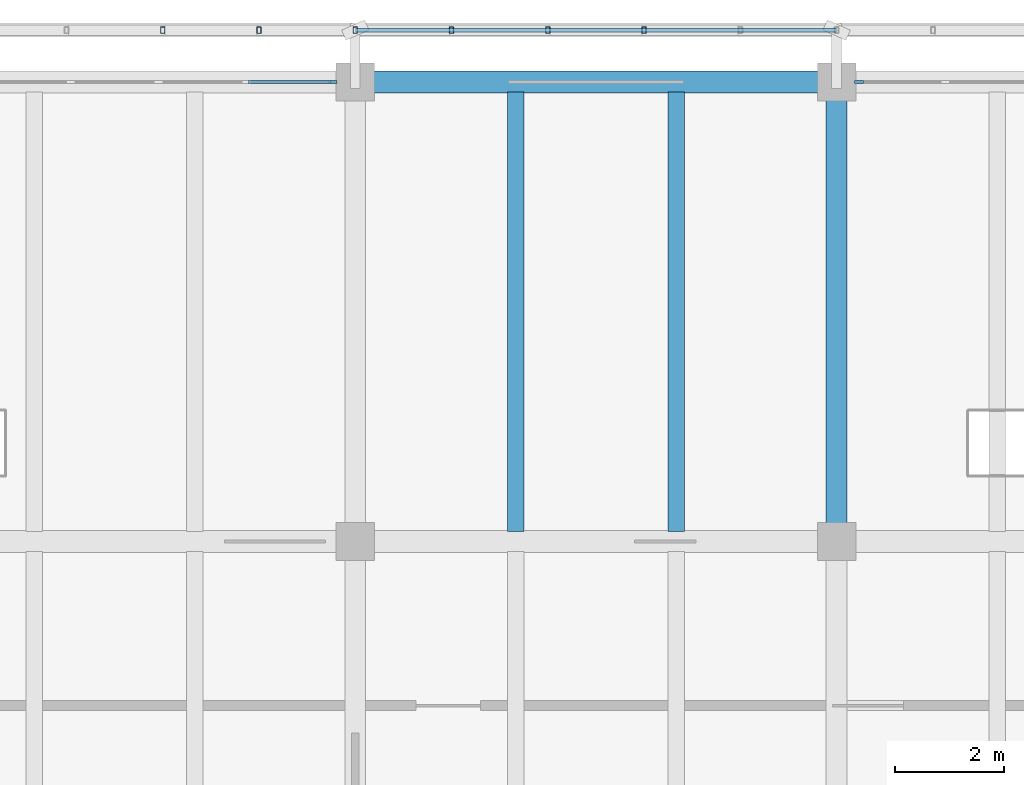
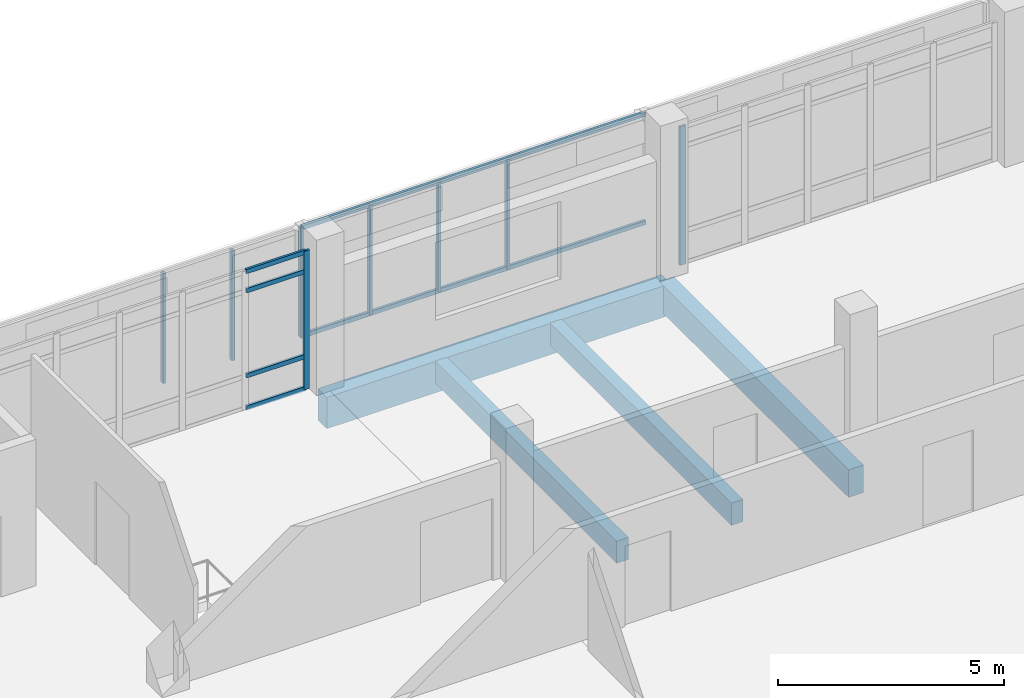
# One storey, part 70 of 137: 14 members, 4 beams, 2 elements without a shape of their own.
"""IFC4 building model written with IfcOpenShell, lengths in metres."""

from ifc_helpers import new_model, si_unit, direction, frame, origin, origin_2d, place, context, subcontext, project, spatial, rectangle, hollow_rectangle, extrude, material, material_profile, profile_set, type_object, element, aggregate, save


model = new_model("IFC4")

# Units and contexts
model_context = context("Model", 3, precision=1e-05, world=origin(), true_north=direction((0.0, 1.0)))
body_context = subcontext(model_context, "Body", "Model", "MODEL_VIEW")
ifc_project = project(units=[si_unit("LENGTHUNIT", "METRE"), si_unit("AREAUNIT", "SQUARE_METRE"), si_unit("VOLUMEUNIT", "CUBIC_METRE"), si_unit("PLANEANGLEUNIT", "RADIAN"), si_unit("MASSUNIT", "GRAM", prefix="KILO")], contexts=[model_context])

# Site, building, storey
site_placement = place(None, origin())
site = spatial("IfcSite", under=ifc_project, at=site_placement, CompositionType="ELEMENT")
building_placement = place(site_placement, origin())
building = spatial("IfcBuilding", under=site, at=building_placement, Name="Cinderway Yard Community Centre", CompositionType="ELEMENT")
storey_placement = place(building_placement, frame((0.0, 0.0, 4.800048828125)))
storey = spatial("IfcBuildingStorey", under=building, at=storey_placement, Name="L01", CompositionType="ELEMENT", Elevation=4.800048828125)

# Curtain wall, member
ifc_material_1 = material(Name="Aluminium 6063-T6", Category="aluminium")
curtain_wall_type = type_object("IfcCurtainWallType", Name="ENV-CW-TYPE-27", PredefinedType="USERDEFINED", material=ifc_material_1)
curtain_wall_1_placement = place(storey_placement, origin())
curtain_wall_1 = element("IfcCurtainWall", 1, at=curtain_wall_1_placement, inside=storey, type_object=curtain_wall_type, Name="V4 Street Curtain Wall ENV-CW-L01-ST-0129", ObjectType="GLAZED CURTAIN WALL", PredefinedType="USERDEFINED")
ifc_material_profile_1 = material_profile(ifc_material_1, rectangle(XDim=0.06005859375, YDim=0.159912109375, at=origin_2d()), Name="Aluminium 6063-T6")
ifc_profile_set_1 = profile_set([ifc_material_profile_1], Name="Aluminium 6063-T6")
member_type_1 = type_object("IfcMemberType", Name="ENV-CW-MULL-150", PredefinedType="MULLION", material=ifc_profile_set_1)
member_1_placement = place(storey_placement, frame((92.389892578125, 115.199951171875, 0.0), z_axis=(0.0, 0.0, 1.0), x_axis=(0.0, 1.0, 0.0)))
member_1 = element("IfcMember", 2, at=member_1_placement, type_object=member_type_1, Name="CW-27 mullion 6", PredefinedType="MULLION", context=body_context, shape_type="SweptSolid", body=[
    extrude(rectangle(XDim=0.06005859375, YDim=0.159912109375, at=origin_2d()), origin(), (0.0, 0.0, 1.0), 3.75),
])

curtain_wall_2_placement = place(storey_placement, origin())
curtain_wall_2 = element("IfcCurtainWall", 3, at=curtain_wall_2_placement, inside=storey, type_object=curtain_wall_type, Name="V4 Street Curtain Wall ENV-CW-L01-ST-0132", ObjectType="GLAZED CURTAIN WALL", PredefinedType="USERDEFINED")
member_2_placement = place(storey_placement, frame((102.010009765625, 115.199951171875, 0.0), z_axis=(0.0, 0.0, 1.0), x_axis=(0.0, 1.0, 0.0)))
member_2 = element("IfcMember", 4, at=member_2_placement, type_object=member_type_1, Name="CW-27 mullion 1", PredefinedType="MULLION", context=body_context, shape_type="SweptSolid", body=[
    extrude(rectangle(XDim=0.06005859375, YDim=0.159912109375, at=origin_2d()), origin(), (0.0, 0.0, 1.0), 3.75),
])
aggregate(curtain_wall_2, [member_2])

# Member
ifc_material_profile_2 = material_profile(ifc_material_1, rectangle(XDim=0.06005859375, YDim=0.1201171875, at=origin_2d()), Name="Aluminium 6063-T6")
ifc_profile_set_2 = profile_set([ifc_material_profile_2], Name="Aluminium 6063-T6")
member_type_2 = type_object("IfcMemberType", Name="ENV-CW-TRAN-110", PredefinedType="USERDEFINED", material=ifc_profile_set_2)
member_3_placement = place(storey_placement, frame((90.842041015625, 115.199951171875, 0.030029296875), z_axis=(1.0, 0.0, 0.0), x_axis=(0.0, 1.0, 0.0)))
member_3 = element("IfcMember", 5, at=member_3_placement, type_object=member_type_2, Name="CW-27 transom 5.1", ObjectType="TRANSOM", PredefinedType="USERDEFINED", context=body_context, shape_type="SweptSolid", body=[
    extrude(rectangle(XDim=0.06005859375, YDim=0.1201171875, at=origin_2d()), origin(), (0.0, 0.0, 1.0), 1.51806640625),
])

member_4_placement = place(storey_placement, frame((90.842041015625, 115.199951171875, 0.89990234375), z_axis=(1.0, 0.0, 0.0), x_axis=(0.0, 1.0, 0.0)))
member_4 = element("IfcMember", 6, at=member_4_placement, type_object=member_type_2, Name="CW-27 transom 5.2", ObjectType="TRANSOM", PredefinedType="USERDEFINED", context=body_context, shape_type="SweptSolid", body=[
    extrude(rectangle(XDim=0.06005859375, YDim=0.1201171875, at=origin_2d()), origin(), (0.0, 0.0, 1.0), 1.51806640625),
])

member_5_placement = place(storey_placement, frame((90.842041015625, 115.199951171875, 3.199951171875), z_axis=(1.0, 0.0, 0.0), x_axis=(0.0, 1.0, 0.0)))
member_5 = element("IfcMember", 7, at=member_5_placement, type_object=member_type_2, Name="CW-27 transom 5.3", ObjectType="TRANSOM", PredefinedType="USERDEFINED", context=body_context, shape_type="SweptSolid", body=[
    extrude(rectangle(XDim=0.06005859375, YDim=0.1201171875, at=origin_2d()), origin(), (0.0, 0.0, 1.0), 1.51806640625),
])

member_6_placement = place(storey_placement, frame((90.842041015625, 115.199951171875, 3.719970703125), z_axis=(1.0, 0.0, 0.0), x_axis=(0.0, 1.0, 0.0)))
member_6 = element("IfcMember", 8, at=member_6_placement, type_object=member_type_2, Name="CW-27 transom 5.4", ObjectType="TRANSOM", PredefinedType="USERDEFINED", context=body_context, shape_type="SweptSolid", body=[
    extrude(rectangle(XDim=0.06005859375, YDim=0.1201171875, at=origin_2d()), origin(), (0.0, 0.0, 1.0), 1.51806640625),
])

aggregate(curtain_wall_1, [member_1, member_3, member_4, member_5, member_6])

# Members
ifc_material_2 = material(Name="Steel S355", Category="steel")
ifc_material_profile_3 = material_profile(ifc_material_2, hollow_rectangle(XDim=0.080078125, YDim=0.1201171875, WallThickness=0.00634765625, InnerFilletRadius=0.00634765625, OuterFilletRadius=0.0126953125, at=origin_2d()), Name="Steel S355")
ifc_profile_set_3 = profile_set([ifc_material_profile_3], Name="Steel S355")
member_type_3 = type_object("IfcMemberType", Name="ENV-MEM-SCREEN-RAIL-120", PredefinedType="STRINGER", material=ifc_profile_set_3)
for number, where, z_axis, x_axis, name in (
    (9, (89.280029296875, 116.14990234375, 0.68994140625), (0.0, 0.0, 1.0), (1.0, 0.0, 0.0), "Screen vertical mullion 0046"),
    (10, (91.0400390625, 116.14990234375, 0.68994140625), (0.0, 0.0, 1.0), (1.0, 0.0, 0.0), "Screen vertical mullion 0047"),
    (11, (92.800048828125, 116.14990234375, 0.68994140625), (0.0, 0.0, 1.0), (1.0, 0.0, 0.0), "Screen vertical mullion 0048"),
):
    element("IfcMember", number, at=place(storey_placement, frame(where, z_axis=z_axis, x_axis=x_axis)), inside=storey, type_object=member_type_3, Name=name, PredefinedType="STRINGER", context=body_context, shape_type="SweptSolid", body=[
        extrude(hollow_rectangle(XDim=0.080078125, YDim=0.1201171875, WallThickness=0.00634765625, InnerFilletRadius=0.00634765625, OuterFilletRadius=0.0126953125, at=origin_2d()), origin(), (0.0, 0.0, 1.0), 2.969970703125),
    ])
for number, where, z_axis, x_axis, name in (
    (12, (92.800048828125, 116.14990234375, 0.7099609375), (1.0, 0.0, 0.0), (0.0, 1.0, 0.0), "Screen support rail 0050-BOT"),
    (13, (92.800048828125, 116.14990234375, 3.639892578125), (1.0, 0.0, 0.0), (0.0, 1.0, 0.0), "Screen support rail 0051-TOP"),
):
    element("IfcMember", number, at=place(storey_placement, frame(where, z_axis=z_axis, x_axis=x_axis)), inside=storey, type_object=member_type_3, Name=name, PredefinedType="STRINGER", context=body_context, shape_type="SweptSolid", body=[
        extrude(hollow_rectangle(XDim=0.080078125, YDim=0.1201171875, WallThickness=0.00634765625, InnerFilletRadius=0.00634765625, OuterFilletRadius=0.0126953125, at=origin_2d()), origin(), (0.0, 0.0, 1.0), 8.800048828125),
    ])
for number, where, z_axis, x_axis, name in (
    (14, (94.56005859375, 116.14990234375, 0.68994140625), (0.0, 0.0, 1.0), (1.0, 0.0, 0.0), "Screen vertical mullion 0052"),
    (15, (96.320068359375, 116.14990234375, 0.68994140625), (0.0, 0.0, 1.0), (1.0, 0.0, 0.0), "Screen vertical mullion 0053"),
    (16, (98.080078125, 116.14990234375, 0.68994140625), (0.0, 0.0, 1.0), (1.0, 0.0, 0.0), "Screen vertical mullion 0054"),
):
    element("IfcMember", number, at=place(storey_placement, frame(where, z_axis=z_axis, x_axis=x_axis)), inside=storey, type_object=member_type_3, Name=name, PredefinedType="STRINGER", context=body_context, shape_type="SweptSolid", body=[
        extrude(hollow_rectangle(XDim=0.080078125, YDim=0.1201171875, WallThickness=0.00634765625, InnerFilletRadius=0.00634765625, OuterFilletRadius=0.0126953125, at=origin_2d()), origin(), (0.0, 0.0, 1.0), 2.969970703125),
    ])

# Beams
ifc_material_3 = material(Name="Concrete C35/45", Category="concrete")
ifc_material_profile_4 = material_profile(ifc_material_3, rectangle(XDim=0.300048828125, YDim=0.60009765625, at=origin_2d()), Name="Concrete C35/45")
ifc_profile_set_4 = profile_set([ifc_material_profile_4], Name="Concrete C35/45")
beam_type_1 = type_object("IfcBeamType", Name="STR-BM-RC300X600", PredefinedType="JOIST", material=ifc_profile_set_4)
for number, where, z_axis, x_axis, name in (
    (17, (95.73291015625, 106.98193359375, -0.56005859375), (0.0, 1.0, 0.0), (-1.0, 0.0, 0.0), "Secondary joist STR-BM-L01-BJ02-0295"),
    (18, (98.6669921875, 106.98193359375, -0.56005859375), (0.0, 1.0, 0.0), (-1.0, 0.0, 0.0), "Secondary joist STR-BM-L01-BJ02-0296"),
):
    element("IfcBeam", number, at=place(storey_placement, frame(where, z_axis=z_axis, x_axis=x_axis)), inside=storey, type_object=beam_type_1, Name=name, PredefinedType="JOIST", context=body_context, shape_type="SweptSolid", body=[
        extrude(rectangle(XDim=0.300048828125, YDim=0.60009765625, at=origin_2d()), origin(), (0.0, 0.0, 1.0), 8.0361328125),
    ])
ifc_material_profile_5 = material_profile(ifc_material_3, rectangle(XDim=0.3798828125, YDim=0.75, at=origin_2d()), Name="Concrete C35/45")
ifc_profile_set_5 = profile_set([ifc_material_profile_5], Name="Concrete C35/45")
beam_type_2 = type_object("IfcBeamType", Name="STR-BM-RC380X750", PredefinedType="BEAM", material=ifc_profile_set_5)
beam_1_placement = place(storey_placement, frame((101.60009765625, 106.800048828125, -0.635009765625), z_axis=(0.0, 1.0, 0.0), x_axis=(-1.0, 0.0, 0.0)))
element("IfcBeam", 19, at=beam_1_placement, inside=storey, type_object=beam_type_2, Name="Transverse girder STR-BM-L01-BG06-0243", PredefinedType="BEAM", context=body_context, shape_type="SweptSolid", body=[
    extrude(rectangle(XDim=0.3798828125, YDim=0.75, at=origin_2d()), origin(), (0.0, 0.0, 1.0), 8.39990234375),
])
ifc_material_4 = material(Name="Concrete C40/50", Category="concrete")
ifc_material_profile_6 = material_profile(ifc_material_4, rectangle(XDim=0.39990234375, YDim=0.85009765625, at=origin_2d()), Name="Concrete C40/50")
ifc_profile_set_6 = profile_set([ifc_material_profile_6], Name="Concrete C40/50")
beam_type_3 = type_object("IfcBeamType", Name="STR-BM-RC400X850", PredefinedType="BEAM", material=ifc_profile_set_6)
beam_2_placement = place(storey_placement, frame((92.800048828125, 115.199951171875, -0.68505859375), z_axis=(1.0, 0.0, 0.0), x_axis=(0.0, 1.0, 0.0)))
element("IfcBeam", 20, at=beam_2_placement, inside=storey, type_object=beam_type_3, Name="Primary girder STR-BM-L01-BG04-0214", PredefinedType="BEAM", context=body_context, shape_type="SweptSolid", body=[
    extrude(rectangle(XDim=0.39990234375, YDim=0.85009765625, at=origin_2d()), origin(), (0.0, 0.0, 1.0), 8.800048828125),
])

save(model, "model.ifc")
